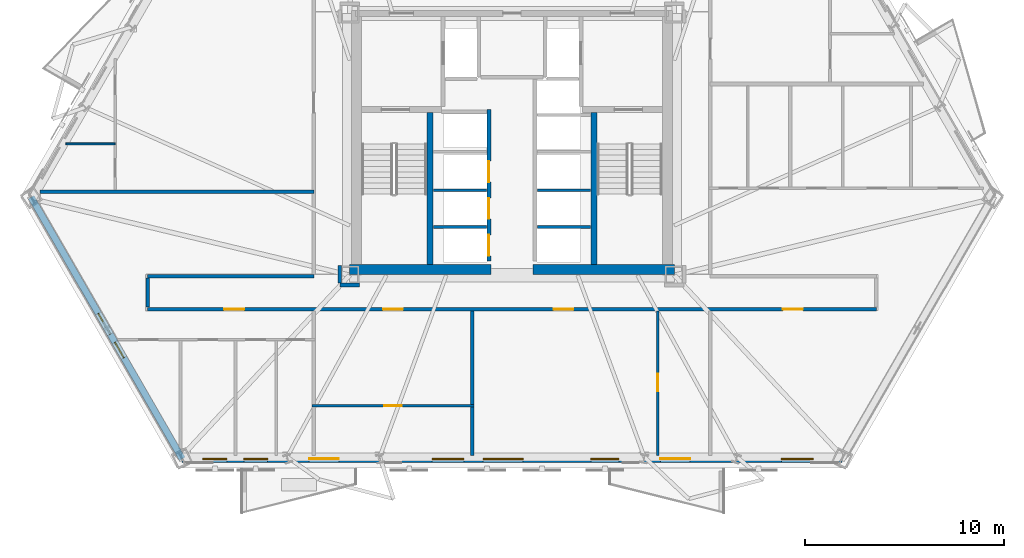
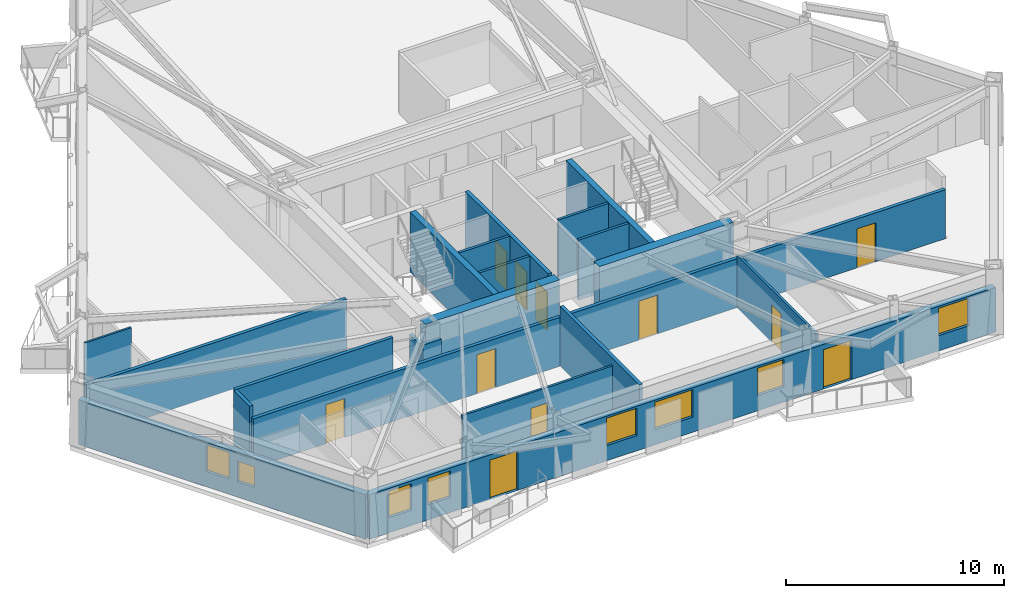
# One storey, part 3 of 13: 21 walls, 11 doors, 8 windows, 19 openings.
"""IFC4 building model written with IfcOpenShell, lengths in metres."""

from ifc_helpers import new_model, si_unit, direction, frame, frame_2d, origin, place, context, subcontext, project, spatial, rectangle, extrude, material, layer, layer_set, type_object, element, fill, save


model = new_model("IFC4")

# Units and contexts
model_context = context("Model", 3, precision=1e-05, world=origin(), true_north=direction((0.0, 1.0)))
body_context = subcontext(model_context, "Body", "Model", "MODEL_VIEW")
ifc_project = project(units=[si_unit("LENGTHUNIT", "METRE"), si_unit("AREAUNIT", "SQUARE_METRE"), si_unit("VOLUMEUNIT", "CUBIC_METRE"), si_unit("PLANEANGLEUNIT", "RADIAN"), si_unit("MASSUNIT", "GRAM", prefix="KILO")], contexts=[model_context])

# Site, building, storey
site_placement = place(None, origin())
site = spatial("IfcSite", under=ifc_project, at=site_placement, CompositionType="ELEMENT")
building_placement = place(site_placement, origin())
building = spatial("IfcBuilding", under=site, at=building_placement, Name="Oramaril Tower", CompositionType="ELEMENT")
storey_placement = place(building_placement, frame((0.0, 0.0, 41.699951171875)))
storey = spatial("IfcBuildingStorey", under=building, at=storey_placement, Name="L10", CompositionType="ELEMENT", Elevation=41.699951171875)

# Wall, openings, windows
ifc_material_1 = material(Name="Warm Cream Limestone", Category="masonry")
ifc_layer_1 = layer(ifc_material_1, 0.340087890625)
ifc_layer_set_1 = layer_set([ifc_layer_1], Name="WT-EXT34")
wall_type_1 = type_object("IfcWallType", Name="WT-EXT34", PredefinedType="SOLIDWALL", material=ifc_layer_set_1)
wall_1_placement = place(storey_placement, frame((13.3515625, 14.921142578125, 0.0), z_axis=(0.0, 0.0, 1.0), x_axis=(0.499998602503, -0.866026210628, 0.0)))
wall_1 = element("IfcWall", 1, at=wall_1_placement, inside=storey, type_object=wall_type_1, Name="L10 Tower Limestone Facade Wall 1M", PredefinedType="SOLIDWALL", context=body_context, shape_type="SweptSolid", body=[
    extrude(rectangle(XDim=15.17822265625, YDim=0.340087890625, at=frame_2d((7.589111328125, 0.0))), origin(), (0.0, 0.0, 1.0), 2.494140625),
])
opening_1_placement = place(wall_1_placement, frame((6.75, 0.0, 0.85009765625)))
opening_1 = element("IfcOpeningElement", 2, at=opening_1_placement, cuts=wall_1, Name="Opening WN-09", PredefinedType="OPENING", context=body_context, shape_type="SweptSolid", body=[
    extrude(rectangle(XDim=1.199951171875, YDim=1.47998046875, at=frame_2d((0.60009765625, 0.739990234375))), frame((0.0, 0.169921875, 0.0), z_axis=(0.0, -1.0, 0.0), x_axis=(1.0, 0.0, 0.0)), (0.0, 0.0, 1.0), 0.340087890625),
])
opening_2_placement = place(wall_1_placement, frame((8.4169921875, 0.0, 0.85009765625)))
opening_2 = element("IfcOpeningElement", 3, at=opening_2_placement, cuts=wall_1, Name="Opening WN-12", PredefinedType="OPENING", context=body_context, shape_type="SweptSolid", body=[
    extrude(rectangle(XDim=0.89990234375, YDim=1.14990234375, at=frame_2d((0.449951171875, 0.574951171875))), frame((0.0, 0.169921875, 0.0), z_axis=(0.0, -1.0, 0.0), x_axis=(1.0, 0.0, 0.0)), (0.0, 0.0, 1.0), 0.340087890625),
])
ifc_material_2 = material(Name="Coastal Low-E Insulated Glass", Category="glass")
window_type_1 = type_object("IfcWindowType", Name="WNT-09", PartitioningType="SINGLE_PANEL", PredefinedType="WINDOW", material=ifc_material_2)
window_1_placement = place(opening_1_placement, origin())
window_1 = element("IfcWindow", 4, at=window_1_placement, inside=storey, type_object=window_type_1, Name="L10 Apartment Bedroom Window WN-09", OverallHeight=1.47998046875, OverallWidth=1.199951171875, PartitioningType="SINGLE_PANEL", PredefinedType="WINDOW", context=body_context, shape_type="SweptSolid", body=[
    extrude(rectangle(XDim=1.199951171875, YDim=1.47998046875, at=frame_2d((0.60009765625, 0.739990234375))), frame((0.0, 0.030029296875, 0.0), z_axis=(0.0, -1.0, 0.0), x_axis=(1.0, 0.0, 0.0)), (0.0, 0.0, 1.0), 0.06005859375),
])
fill(opening_1, window_1)
ifc_material_3 = material(Name="Coastal Low-E Insulated Glass", Category="glass")
window_type_2 = type_object("IfcWindowType", Name="WNT-12", PartitioningType="SINGLE_PANEL", PredefinedType="WINDOW", material=ifc_material_3)
window_2_placement = place(opening_2_placement, origin())
window_2 = element("IfcWindow", 5, at=window_2_placement, inside=storey, type_object=window_type_2, Name="L10 Apartment Bedroom Window WN-12", OverallHeight=1.14990234375, OverallWidth=0.89990234375, PartitioningType="SINGLE_PANEL", PredefinedType="WINDOW", context=body_context, shape_type="SweptSolid", body=[
    extrude(rectangle(XDim=0.89990234375, YDim=1.14990234375, at=frame_2d((0.449951171875, 0.574951171875))), frame((0.0, 0.030029296875, 0.0), z_axis=(0.0, -1.0, 0.0), x_axis=(1.0, 0.0, 0.0)), (0.0, 0.0, 1.0), 0.06005859375),
])
fill(opening_2, window_2)

# Wall, openings, doors, windows
wall_2_placement = place(storey_placement, frame((20.940673828125, 1.7763671875, 0.0), z_axis=(0.0, 0.0, 1.0), x_axis=(1.0, 0.0, 0.0)))
wall_2 = element("IfcWall", 6, at=wall_2_placement, inside=storey, type_object=wall_type_1, Name="L10 Tower Limestone Facade Wall 2M", PredefinedType="SOLIDWALL", context=body_context, shape_type="SweptSolid", body=[
    extrude(rectangle(XDim=33.11865234375, YDim=0.340087890625, at=frame_2d((16.559326171875, 0.0))), origin(), (0.0, 0.0, 1.0), 2.494140625),
])
opening_3_placement = place(wall_2_placement, frame((6.369384765625, 0.0, 0.0)))
opening_3 = element("IfcOpeningElement", 7, at=opening_3_placement, cuts=wall_2, Name="Opening D-L10-BAL-S1", PredefinedType="OPENING", context=body_context, shape_type="SweptSolid", body=[
    extrude(rectangle(XDim=1.5, YDim=2.199951171875, at=frame_2d((0.75, 1.10009765625))), frame((0.0, 0.169921875, 0.0), z_axis=(0.0, -1.0, 0.0), x_axis=(1.0, 0.0, 0.0)), (0.0, 0.0, 1.0), 0.340087890625),
])
opening_4_placement = place(wall_2_placement, frame((24.004150390625, 0.0, 0.0)))
opening_4 = element("IfcOpeningElement", 8, at=opening_4_placement, cuts=wall_2, Name="Opening D-L10-BAL-S2", PredefinedType="OPENING", context=body_context, shape_type="SweptSolid", body=[
    extrude(rectangle(XDim=1.5, YDim=2.199951171875, at=frame_2d((0.75, 1.10009765625))), frame((0.0, 0.169921875, 0.0), z_axis=(0.0, -1.0, 0.0), x_axis=(1.0, 0.0, 0.0)), (0.0, 0.0, 1.0), 0.340087890625),
])
opening_5_placement = place(wall_2_placement, frame((12.5478515625, 0.0, 0.85009765625)))
opening_5 = element("IfcOpeningElement", 9, at=opening_5_placement, cuts=wall_2, Name="Opening WN-07", PredefinedType="OPENING", context=body_context, shape_type="SweptSolid", body=[
    extrude(rectangle(XDim=1.60009765625, YDim=1.533935546875, at=frame_2d((0.800048828125, 0.76708984375))), frame((0.0, 0.169921875, 0.0), z_axis=(0.0, -1.0, 0.0), x_axis=(1.0, 0.0, 0.0)), (0.0, 0.0, 1.0), 0.340087890625),
])
opening_6_placement = place(wall_2_placement, frame((15.113525390625, 0.0, 0.85009765625)))
opening_6 = element("IfcOpeningElement", 10, at=opening_6_placement, cuts=wall_2, Name="Opening WN-05", PredefinedType="OPENING", context=body_context, shape_type="SweptSolid", body=[
    extrude(rectangle(XDim=2.0, YDim=1.533935546875, at=frame_2d((1.0, 0.76708984375))), frame((0.0, 0.169921875, 0.0), z_axis=(0.0, -1.0, 0.0), x_axis=(1.0, 0.0, 0.0)), (0.0, 0.0, 1.0), 0.340087890625),
])
opening_7_placement = place(wall_2_placement, frame((20.52294921875, 0.0, 0.85009765625)))
opening_7 = element("IfcOpeningElement", 11, at=opening_7_placement, cuts=wall_2, Name="Opening WN-08", PredefinedType="OPENING", context=body_context, shape_type="SweptSolid", body=[
    extrude(rectangle(XDim=1.39990234375, YDim=1.533935546875, at=frame_2d((0.699951171875, 0.76708984375))), frame((0.0, 0.169921875, 0.0), z_axis=(0.0, -1.0, 0.0), x_axis=(1.0, 0.0, 0.0)), (0.0, 0.0, 1.0), 0.340087890625),
])
opening_8_placement = place(wall_2_placement, frame((1.04296875, 0.0, 0.85009765625)))
opening_8 = element("IfcOpeningElement", 12, at=opening_8_placement, cuts=wall_2, Name="Opening WN-09", PredefinedType="OPENING", context=body_context, shape_type="SweptSolid", body=[
    extrude(rectangle(XDim=1.199951171875, YDim=1.47998046875, at=frame_2d((0.60009765625, 0.739990234375))), frame((0.0, 0.169921875, 0.0), z_axis=(0.0, -1.0, 0.0), x_axis=(1.0, 0.0, 0.0)), (0.0, 0.0, 1.0), 0.340087890625),
])
opening_9_placement = place(wall_2_placement, frame((3.09423828125, 0.0, 0.85009765625)))
opening_9 = element("IfcOpeningElement", 13, at=opening_9_placement, cuts=wall_2, Name="Opening WN-09", PredefinedType="OPENING", context=body_context, shape_type="SweptSolid", body=[
    extrude(rectangle(XDim=1.199951171875, YDim=1.47998046875, at=frame_2d((0.60009765625, 0.739990234375))), frame((0.0, 0.169921875, 0.0), z_axis=(0.0, -1.0, 0.0), x_axis=(1.0, 0.0, 0.0)), (0.0, 0.0, 1.0), 0.340087890625),
])
opening_10_placement = place(wall_2_placement, frame((30.0908203125, 0.0, 0.85009765625)))
opening_10 = element("IfcOpeningElement", 14, at=opening_10_placement, cuts=wall_2, Name="Opening WN-07", PredefinedType="OPENING", context=body_context, shape_type="SweptSolid", body=[
    extrude(rectangle(XDim=1.60009765625, YDim=1.533935546875, at=frame_2d((0.800048828125, 0.76708984375))), frame((0.0, 0.169921875, 0.0), z_axis=(0.0, -1.0, 0.0), x_axis=(1.0, 0.0, 0.0)), (0.0, 0.0, 1.0), 0.340087890625),
])
ifc_material_4 = material(Name="Anodised Aluminium 6063-T6", Category="aluminium")
door_type_1 = type_object("IfcDoorType", Name="DT-BAL", OperationType="NOTDEFINED", PredefinedType="DOOR", material=ifc_material_4)
door_1_placement = place(opening_3_placement, origin())
door_1 = element("IfcDoor", 15, at=door_1_placement, inside=storey, type_object=door_type_1, Name="L10 Balcony Glazed Door L10-BAL-S1", OperationType="SINGLE_SWING_LEFT", OverallHeight=2.199951171875, OverallWidth=1.5, PredefinedType="DOOR", context=body_context, shape_type="SweptSolid", body=[
    extrude(rectangle(XDim=1.5, YDim=2.199951171875, at=frame_2d((0.75, 1.10009765625))), frame((0.0, 0.02490234375, 0.0), z_axis=(0.0, -1.0, 0.0), x_axis=(1.0, 0.0, 0.0)), (0.0, 0.0, 1.0), 0.050048828125),
])
fill(opening_3, door_1)
door_2_placement = place(opening_4_placement, origin())
door_2 = element("IfcDoor", 16, at=door_2_placement, inside=storey, type_object=door_type_1, Name="L10 Balcony Glazed Door L10-BAL-S2", OperationType="SINGLE_SWING_RIGHT", OverallHeight=2.199951171875, OverallWidth=1.5, PredefinedType="DOOR", context=body_context, shape_type="SweptSolid", body=[
    extrude(rectangle(XDim=1.5, YDim=2.199951171875, at=frame_2d((0.75, 1.10009765625))), frame((0.0, 0.02490234375, 0.0), z_axis=(0.0, -1.0, 0.0), x_axis=(1.0, 0.0, 0.0)), (0.0, 0.0, 1.0), 0.050048828125),
])
fill(opening_4, door_2)
ifc_material_5 = material(Name="Coastal Low-E Insulated Glass", Category="glass")
window_type_3 = type_object("IfcWindowType", Name="WNT-05", PartitioningType="SINGLE_PANEL", PredefinedType="WINDOW", material=ifc_material_5)
window_3_placement = place(opening_6_placement, origin())
window_3 = element("IfcWindow", 17, at=window_3_placement, inside=storey, type_object=window_type_3, Name="L10 Chicago Bay Window WN-05", OverallHeight=1.533935546875, OverallWidth=2.0, PartitioningType="SINGLE_PANEL", PredefinedType="WINDOW", context=body_context, shape_type="SweptSolid", body=[
    extrude(rectangle(XDim=2.0, YDim=1.533935546875, at=frame_2d((1.0, 0.76708984375))), frame((0.0, 0.030029296875, 0.0), z_axis=(0.0, -1.0, 0.0), x_axis=(1.0, 0.0, 0.0)), (0.0, 0.0, 1.0), 0.06005859375),
])
fill(opening_6, window_3)
ifc_material_6 = material(Name="Coastal Low-E Insulated Glass", Category="glass")
window_type_4 = type_object("IfcWindowType", Name="WNT-07", PartitioningType="SINGLE_PANEL", PredefinedType="WINDOW", material=ifc_material_6)
window_4_placement = place(opening_5_placement, origin())
window_4 = element("IfcWindow", 18, at=window_4_placement, inside=storey, type_object=window_type_4, Name="L10 Chicago Bay Window WN-07", OverallHeight=1.533935546875, OverallWidth=1.60009765625, PartitioningType="SINGLE_PANEL", PredefinedType="WINDOW", context=body_context, shape_type="SweptSolid", body=[
    extrude(rectangle(XDim=1.60009765625, YDim=1.533935546875, at=frame_2d((0.800048828125, 0.76708984375))), frame((0.0, 0.030029296875, 0.0), z_axis=(0.0, -1.0, 0.0), x_axis=(1.0, 0.0, 0.0)), (0.0, 0.0, 1.0), 0.06005859375),
])
fill(opening_5, window_4)
window_5_placement = place(opening_10_placement, origin())
window_5 = element("IfcWindow", 19, at=window_5_placement, inside=storey, type_object=window_type_4, Name="L10 Chicago Bay Window WN-07", OverallHeight=1.533935546875, OverallWidth=1.60009765625, PartitioningType="SINGLE_PANEL", PredefinedType="WINDOW", context=body_context, shape_type="SweptSolid", body=[
    extrude(rectangle(XDim=1.60009765625, YDim=1.533935546875, at=frame_2d((0.800048828125, 0.76708984375))), frame((0.0, 0.030029296875, 0.0), z_axis=(0.0, -1.0, 0.0), x_axis=(1.0, 0.0, 0.0)), (0.0, 0.0, 1.0), 0.06005859375),
])
fill(opening_10, window_5)
ifc_material_7 = material(Name="Coastal Low-E Insulated Glass", Category="glass")
window_type_5 = type_object("IfcWindowType", Name="WNT-08", PartitioningType="SINGLE_PANEL", PredefinedType="WINDOW", material=ifc_material_7)
window_6_placement = place(opening_7_placement, origin())
window_6 = element("IfcWindow", 20, at=window_6_placement, inside=storey, type_object=window_type_5, Name="L10 Chicago Bay Window WN-08", OverallHeight=1.533935546875, OverallWidth=1.39990234375, PartitioningType="SINGLE_PANEL", PredefinedType="WINDOW", context=body_context, shape_type="SweptSolid", body=[
    extrude(rectangle(XDim=1.39990234375, YDim=1.533935546875, at=frame_2d((0.699951171875, 0.76708984375))), frame((0.0, 0.030029296875, 0.0), z_axis=(0.0, -1.0, 0.0), x_axis=(1.0, 0.0, 0.0)), (0.0, 0.0, 1.0), 0.06005859375),
])
fill(opening_7, window_6)
window_7_placement = place(opening_8_placement, origin())
window_7 = element("IfcWindow", 21, at=window_7_placement, inside=storey, type_object=window_type_1, Name="L10 Chicago Bay Window WN-09", OverallHeight=1.47998046875, OverallWidth=1.199951171875, PartitioningType="SINGLE_PANEL", PredefinedType="WINDOW", context=body_context, shape_type="SweptSolid", body=[
    extrude(rectangle(XDim=1.199951171875, YDim=1.47998046875, at=frame_2d((0.60009765625, 0.739990234375))), frame((0.0, 0.030029296875, 0.0), z_axis=(0.0, -1.0, 0.0), x_axis=(1.0, 0.0, 0.0)), (0.0, 0.0, 1.0), 0.06005859375),
])
fill(opening_8, window_7)
window_8_placement = place(opening_9_placement, origin())
window_8 = element("IfcWindow", 22, at=window_8_placement, inside=storey, type_object=window_type_1, Name="L10 Chicago Bay Window WN-09", OverallHeight=1.47998046875, OverallWidth=1.199951171875, PartitioningType="SINGLE_PANEL", PredefinedType="WINDOW", context=body_context, shape_type="SweptSolid", body=[
    extrude(rectangle(XDim=1.199951171875, YDim=1.47998046875, at=frame_2d((0.60009765625, 0.739990234375))), frame((0.0, 0.030029296875, 0.0), z_axis=(0.0, -1.0, 0.0), x_axis=(1.0, 0.0, 0.0)), (0.0, 0.0, 1.0), 0.06005859375),
])
fill(opening_9, window_8)

# Wall
ifc_material_8 = material(Name="Acoustic Gypsum Board Partition")
ifc_layer_2 = layer(ifc_material_8, 0.10009765625)
ifc_layer_set_2 = layer_set([ifc_layer_2], Name="WT-PT10")
wall_type_2 = type_object("IfcWallType", Name="WT-PT10", PredefinedType="PARTITIONING", material=ifc_layer_set_2)
wall_3_placement = place(storey_placement, frame((15.093505859375, 17.590087890625, 0.0), z_axis=(0.0, 0.0, 1.0), x_axis=(1.0, 0.0, 0.0)))
element("IfcWall", 23, at=wall_3_placement, inside=storey, type_object=wall_type_2, Name="L10 Interior Partition PT-10", PredefinedType="PARTITIONING", context=body_context, shape_type="SweptSolid", body=[
    extrude(rectangle(XDim=2.474365234375, YDim=0.10009765625, at=frame_2d((1.2373046875, 0.0))), origin(), (0.0, 0.0, 1.0), 3.360107421875),
])

# Wall, opening, door
ifc_material_9 = material(Name="Acoustic Gypsum Board Partition")
ifc_layer_3 = layer(ifc_material_9, 0.1201171875)
ifc_layer_set_3 = layer_set([ifc_layer_3], Name="WT-PT12")
wall_type_3 = type_object("IfcWallType", Name="WT-PT12", PredefinedType="PARTITIONING", material=ifc_layer_set_3)
wall_4_placement = place(storey_placement, frame((27.468017578125, 4.449951171875, 0.0), z_axis=(0.0, 0.0, 1.0), x_axis=(1.0, 0.0, 0.0)))
wall_4 = element("IfcWall", 24, at=wall_4_placement, inside=storey, type_object=wall_type_3, Name="L10 Interior Partition PT-12", PredefinedType="PARTITIONING", context=body_context, shape_type="SweptSolid", body=[
    extrude(rectangle(XDim=8.114013671875, YDim=0.1201171875, at=frame_2d((4.05712890625, 0.0))), origin(), (0.0, 0.0, 1.0), 2.946044921875),
])
opening_11_placement = place(wall_4_placement, frame((3.616943359375, 0.0, 0.0)))
opening_11 = element("IfcOpeningElement", 25, at=opening_11_placement, cuts=wall_4, Name="Opening D-L10-01", PredefinedType="OPENING", context=body_context, shape_type="SweptSolid", body=[
    extrude(rectangle(XDim=0.8798828125, YDim=2.080078125, at=frame_2d((0.43994140625, 1.0400390625))), frame((0.0, 0.06005859375, 0.0), z_axis=(0.0, -1.0, 0.0), x_axis=(1.0, 0.0, 0.0)), (0.0, 0.0, 1.0), 0.1201171875),
])
ifc_material_10 = material(Name="FSC Brazilian Freijo Hardwood", Category="wood")
door_type_2 = type_object("IfcDoorType", Name="DT-BATH", OperationType="NOTDEFINED", PredefinedType="DOOR", material=ifc_material_10)
door_3_placement = place(opening_11_placement, origin())
door_3 = element("IfcDoor", 26, at=door_3_placement, inside=storey, type_object=door_type_2, Name="L10 Flat L10-U1 Bathroom Door D-L10-01", OperationType="SINGLE_SWING_RIGHT", OverallHeight=2.080078125, OverallWidth=0.8798828125, PredefinedType="DOOR", context=body_context, shape_type="SweptSolid", body=[
    extrude(rectangle(XDim=0.8798828125, YDim=2.080078125, at=frame_2d((0.43994140625, 1.0400390625))), frame((0.0, 0.02490234375, 0.0), z_axis=(0.0, -1.0, 0.0), x_axis=(1.0, 0.0, 0.0)), (0.0, 0.0, 1.0), 0.050048828125),
])
fill(opening_11, door_3)

wall_5_placement = place(storey_placement, frame((44.820068359375, 1.9501953125, 0.0), z_axis=(0.0, 0.0, 1.0), x_axis=(0.0, 1.0, 0.0)))
wall_5 = element("IfcWall", 27, at=wall_5_placement, inside=storey, type_object=wall_type_3, Name="L10 Interior Partition PT-12", PredefinedType="PARTITIONING", context=body_context, shape_type="SweptSolid", body=[
    extrude(rectangle(XDim=7.255859375, YDim=0.1201171875, at=frame_2d((3.6279296875, 0.0))), origin(), (0.0, 0.0, 1.0), 2.946044921875),
])
opening_12_placement = place(wall_5_placement, frame((3.222900390625, 0.0, 0.0)))
opening_12 = element("IfcOpeningElement", 28, at=opening_12_placement, cuts=wall_5, Name="Opening D-L10-19", PredefinedType="OPENING", context=body_context, shape_type="SweptSolid", body=[
    extrude(rectangle(XDim=0.8798828125, YDim=2.080078125, at=frame_2d((0.43994140625, 1.0400390625))), frame((0.0, 0.06005859375, 0.0), z_axis=(0.0, -1.0, 0.0), x_axis=(1.0, 0.0, 0.0)), (0.0, 0.0, 1.0), 0.1201171875),
])
door_4_placement = place(opening_12_placement, origin())
door_4 = element("IfcDoor", 29, at=door_4_placement, inside=storey, type_object=door_type_2, Name="L10 Flat L10-U2 Bathroom Door D-L10-19", OperationType="SINGLE_SWING_RIGHT", OverallHeight=2.080078125, OverallWidth=0.8798828125, PredefinedType="DOOR", context=body_context, shape_type="SweptSolid", body=[
    extrude(rectangle(XDim=0.8798828125, YDim=2.080078125, at=frame_2d((0.43994140625, 1.0400390625))), frame((0.0, 0.02490234375, 0.0), z_axis=(0.0, -1.0, 0.0), x_axis=(1.0, 0.0, 0.0)), (0.0, 0.0, 1.0), 0.050048828125),
])
fill(opening_12, door_4)

# Walls
ifc_material_11 = material(Name="Acoustic Gypsum Board Partition")
ifc_layer_4 = layer(ifc_material_11, 0.139892578125)
ifc_layer_set_4 = layer_set([ifc_layer_4], Name="WT-PT14")
wall_type_4 = type_object("IfcWallType", Name="WT-PT14", PredefinedType="PARTITIONING", material=ifc_layer_set_4)
for number, where, z_axis, x_axis, name in (
    (30, (33.56005859375, 13.419921875, 0.0), (0.0, 0.0, 1.0), (1.0, 0.0, 0.0), "L10 West Lift Divider"),
    (31, (33.56005859375, 15.27001953125, 0.0), (0.0, 0.0, 1.0), (1.0, 0.0, 0.0), "L10 West Lift Divider"),
    (32, (38.780029296875, 13.419921875, 0.0), (0.0, 0.0, 1.0), (1.0, 0.0, 0.0), "L10 East Lift Divider"),
    (33, (38.780029296875, 15.27001953125, 0.0), (0.0, 0.0, 1.0), (1.0, 0.0, 0.0), "L10 East Lift Divider"),
):
    element("IfcWall", number, at=place(storey_placement, frame(where, z_axis=z_axis, x_axis=x_axis)), inside=storey, type_object=wall_type_4, Name=name, PredefinedType="PARTITIONING", context=body_context, shape_type="SweptSolid", body=[
        extrude(rectangle(XDim=2.659912109375, YDim=0.139892578125, at=frame_2d((1.330078125, 0.0))), origin(), (0.0, 0.0, 1.0), 3.360107421875),
    ])

# Wall, openings, doors
ifc_material_12 = material(Name="Autoclaved Cellular Concrete Block", Category="concrete")
ifc_layer_5 = layer(ifc_material_12, 0.179931640625)
ifc_layer_set_5 = layer_set([ifc_layer_5], Name="WT-PT18")
wall_type_5 = type_object("IfcWallType", Name="WT-PT18", PredefinedType="PARTITIONING", material=ifc_layer_set_5)
wall_6_placement = place(storey_placement, frame((19.199951171875, 9.300048828125, 0.0), z_axis=(0.0, 0.0, 1.0), x_axis=(1.0, 0.0, 0.0)))
wall_6 = element("IfcWall", 34, at=wall_6_placement, inside=storey, type_object=wall_type_5, Name="L10 Interior Partition PT-18", PredefinedType="PARTITIONING", context=body_context, shape_type="SweptSolid", body=[
    extrude(rectangle(XDim=36.60009765625, YDim=0.179931640625, at=frame_2d((18.300048828125, 0.0))), origin(), (0.0, 0.0, 1.0), 2.738037109375),
])
opening_13_placement = place(wall_6_placement, frame((3.84423828125, 0.0, 0.0)))
opening_13 = element("IfcOpeningElement", 35, at=opening_13_placement, cuts=wall_6, Name="Opening D-L10-06", PredefinedType="OPENING", context=body_context, shape_type="SweptSolid", body=[
    extrude(rectangle(XDim=1.0, YDim=2.179931640625, at=frame_2d((0.5, 1.08984375))), frame((0.0, 0.08984375, 0.0), z_axis=(0.0, -1.0, 0.0), x_axis=(1.0, 0.0, 0.0)), (0.0, 0.0, 1.0), 0.179931640625),
])
opening_14_placement = place(wall_6_placement, frame((11.824951171875, 0.0, 0.0)))
opening_14 = element("IfcOpeningElement", 36, at=opening_14_placement, cuts=wall_6, Name="Opening D-L10-07", PredefinedType="OPENING", context=body_context, shape_type="SweptSolid", body=[
    extrude(rectangle(XDim=1.0, YDim=2.179931640625, at=frame_2d((0.5, 1.08984375))), frame((0.0, 0.08984375, 0.0), z_axis=(0.0, -1.0, 0.0), x_axis=(1.0, 0.0, 0.0)), (0.0, 0.0, 1.0), 0.179931640625),
])
opening_15_placement = place(wall_6_placement, frame((20.38671875, 0.0, 0.0)))
opening_15 = element("IfcOpeningElement", 37, at=opening_15_placement, cuts=wall_6, Name="Opening D-L10-08", PredefinedType="OPENING", context=body_context, shape_type="SweptSolid", body=[
    extrude(rectangle(XDim=1.0, YDim=2.179931640625, at=frame_2d((0.5, 1.08984375))), frame((0.0, 0.08984375, 0.0), z_axis=(0.0, -1.0, 0.0), x_axis=(1.0, 0.0, 0.0)), (0.0, 0.0, 1.0), 0.179931640625),
])
opening_16_placement = place(wall_6_placement, frame((31.904052734375, 0.0, 0.0)))
opening_16 = element("IfcOpeningElement", 38, at=opening_16_placement, cuts=wall_6, Name="Opening D-L10-09", PredefinedType="OPENING", context=body_context, shape_type="SweptSolid", body=[
    extrude(rectangle(XDim=1.0, YDim=2.179931640625, at=frame_2d((0.5, 1.08984375))), frame((0.0, 0.08984375, 0.0), z_axis=(0.0, -1.0, 0.0), x_axis=(1.0, 0.0, 0.0)), (0.0, 0.0, 1.0), 0.179931640625),
])
ifc_material_13 = material(Name="FSC Brazilian Freijo Hardwood", Category="wood")
door_type_3 = type_object("IfcDoorType", Name="DT-APT", OperationType="NOTDEFINED", PredefinedType="DOOR", material=ifc_material_13)
door_5_placement = place(opening_13_placement, origin())
door_5 = element("IfcDoor", 39, at=door_5_placement, inside=storey, type_object=door_type_3, Name="L10 Flat L10-U3 Penthouse 2-Bedroom Living and Dining Room Door D-L10-06", OperationType="SINGLE_SWING_LEFT", OverallHeight=2.179931640625, OverallWidth=1.0, PredefinedType="DOOR", context=body_context, shape_type="SweptSolid", body=[
    extrude(rectangle(XDim=1.0, YDim=2.179931640625, at=frame_2d((0.5, 1.08984375))), frame((0.0, 0.02490234375, 0.0), z_axis=(0.0, -1.0, 0.0), x_axis=(1.0, 0.0, 0.0)), (0.0, 0.0, 1.0), 0.050048828125),
])
fill(opening_13, door_5)
door_6_placement = place(opening_14_placement, origin())
door_6 = element("IfcDoor", 40, at=door_6_placement, inside=storey, type_object=door_type_3, Name="L10 Flat L10-U1 Kitchen and Studio Apartment Door D-L10-07", OperationType="SINGLE_SWING_RIGHT", OverallHeight=2.179931640625, OverallWidth=1.0, PredefinedType="DOOR", context=body_context, shape_type="SweptSolid", body=[
    extrude(rectangle(XDim=1.0, YDim=2.179931640625, at=frame_2d((0.5, 1.08984375))), frame((0.0, 0.02490234375, 0.0), z_axis=(0.0, -1.0, 0.0), x_axis=(1.0, 0.0, 0.0)), (0.0, 0.0, 1.0), 0.050048828125),
])
fill(opening_14, door_6)
door_7_placement = place(opening_15_placement, origin())
door_7 = element("IfcDoor", 41, at=door_7_placement, inside=storey, type_object=door_type_3, Name="L10 Flat L10-U2 Kitchen and Studio Apartment Door D-L10-08", OperationType="SINGLE_SWING_LEFT", OverallHeight=2.179931640625, OverallWidth=1.0, PredefinedType="DOOR", context=body_context, shape_type="SweptSolid", body=[
    extrude(rectangle(XDim=1.0, YDim=2.179931640625, at=frame_2d((0.5, 1.08984375))), frame((0.0, 0.02490234375, 0.0), z_axis=(0.0, -1.0, 0.0), x_axis=(1.0, 0.0, 0.0)), (0.0, 0.0, 1.0), 0.050048828125),
])
fill(opening_15, door_7)
door_8_placement = place(opening_16_placement, origin())
door_8 = element("IfcDoor", 42, at=door_8_placement, inside=storey, type_object=door_type_3, Name="L10 Flat L10-U5 Penthouse 2-Bedroom Living and Dining Room Door D-L10-09", OperationType="SINGLE_SWING_RIGHT", OverallHeight=2.179931640625, OverallWidth=1.0, PredefinedType="DOOR", context=body_context, shape_type="SweptSolid", body=[
    extrude(rectangle(XDim=1.0, YDim=2.179931640625, at=frame_2d((0.5, 1.08984375))), frame((0.0, 0.02490234375, 0.0), z_axis=(0.0, -1.0, 0.0), x_axis=(1.0, 0.0, 0.0)), (0.0, 0.0, 1.0), 0.050048828125),
])
fill(opening_16, door_8)

# Walls
wall_7_placement = place(storey_placement, frame((28.860107421875, 10.510009765625, 0.0), z_axis=(0.0, 0.0, 1.0), x_axis=(1.0, 0.0, 0.0)))
element("IfcWall", 43, at=wall_7_placement, inside=storey, type_object=wall_type_5, Name="L10 Interior Partition PT-18", PredefinedType="PARTITIONING", context=body_context, shape_type="SweptSolid", body=[
    extrude(rectangle(XDim=0.97998046875, YDim=0.179931640625, at=frame_2d((0.489990234375, 0.0))), origin(), (0.0, 0.0, 1.0), 2.738037109375),
])
wall_8_placement = place(storey_placement, frame((19.199951171875, 10.949951171875, 0.0), z_axis=(0.0, 0.0, 1.0), x_axis=(1.0, 0.0, 0.0)))
element("IfcWall", 44, at=wall_8_placement, inside=storey, type_object=wall_type_5, Name="L10 Interior Partition PT-18", PredefinedType="PARTITIONING", context=body_context, shape_type="SweptSolid", body=[
    extrude(rectangle(XDim=8.35009765625, YDim=0.179931640625, at=frame_2d((4.175048828125, 0.0))), origin(), (0.0, 0.0, 1.0), 3.360107421875),
])
wall_9_placement = place(storey_placement, frame((13.798583984375, 15.199951171875, 0.0), z_axis=(0.0, 0.0, 1.0), x_axis=(1.0, 0.0, 0.0)))
element("IfcWall", 45, at=wall_9_placement, inside=storey, type_object=wall_type_5, Name="L10 Interior Partition PT-18", PredefinedType="PARTITIONING", context=body_context, shape_type="SweptSolid", body=[
    extrude(rectangle(XDim=13.75146484375, YDim=0.179931640625, at=frame_2d((6.875732421875, 0.0))), origin(), (0.0, 0.0, 1.0), 2.946044921875),
])
wall_10_placement = place(storey_placement, frame((19.199951171875, 9.39404296875, 0.0), z_axis=(0.0, 0.0, 1.0), x_axis=(0.0, 1.0, 0.0)))
element("IfcWall", 46, at=wall_10_placement, inside=storey, type_object=wall_type_5, Name="L10 Interior Partition PT-18", PredefinedType="PARTITIONING", context=body_context, shape_type="SweptSolid", body=[
    extrude(rectangle(XDim=1.4619140625, YDim=0.179931640625, at=frame_2d((0.73095703125, 0.0))), origin(), (0.0, 0.0, 1.0), 3.360107421875),
])
wall_11_placement = place(storey_placement, frame((28.860107421875, 10.60400390625, 0.0), z_axis=(0.0, 0.0, 1.0), x_axis=(0.0, 1.0, 0.0)))
element("IfcWall", 47, at=wall_11_placement, inside=storey, type_object=wall_type_5, Name="L10 Interior Partition PT-18", PredefinedType="PARTITIONING", context=body_context, shape_type="SweptSolid", body=[
    extrude(rectangle(XDim=0.89111328125, YDim=0.179931640625, at=frame_2d((0.445556640625, 0.0))), origin(), (0.0, 0.0, 1.0), 2.738037109375),
])
wall_12_placement = place(storey_placement, frame((35.5, 1.9501953125, 0.0), z_axis=(0.0, 0.0, 1.0), x_axis=(0.0, 1.0, 0.0)))
element("IfcWall", 48, at=wall_12_placement, inside=storey, type_object=wall_type_5, Name="L10 Interior Partition PT-18", PredefinedType="PARTITIONING", context=body_context, shape_type="SweptSolid", body=[
    extrude(rectangle(XDim=7.255859375, YDim=0.179931640625, at=frame_2d((3.6279296875, 0.0))), origin(), (0.0, 0.0, 1.0), 3.360107421875),
])
ifc_material_14 = material(Name="Concrete C50/60", Category="concrete")
ifc_layer_6 = layer(ifc_material_14, 0.300048828125)
ifc_layer_set_6 = layer_set([ifc_layer_6], Name="WT-SH30")
wall_type_6 = type_object("IfcWallType", Name="WT-SH30", PredefinedType="SHEAR", material=ifc_layer_set_6)
for number, where, z_axis, x_axis, name in (
    (49, (33.3798828125, 11.5400390625, 0.0), (0.0, 0.0, 1.0), (0.0, 1.0, 0.0), "L10 Core Shear Wall CW-ST1E"),
    (50, (41.6201171875, 11.5400390625, 0.0), (0.0, 0.0, 1.0), (0.0, 1.0, 0.0), "L10 Core Shear Wall CW-ST2W"),
):
    element("IfcWall", number, at=place(storey_placement, frame(where, z_axis=z_axis, x_axis=x_axis)), inside=storey, type_object=wall_type_6, Name=name, PredefinedType="SHEAR", context=body_context, shape_type="SweptSolid", body=[
        extrude(rectangle(XDim=7.619873046875, YDim=0.300048828125, at=frame_2d((3.81005859375, 0.0))), origin(), (0.0, 0.0, 1.0), 3.360107421875),
    ])
ifc_material_15 = material(Name="Concrete C50/60", Category="concrete")
ifc_layer_7 = layer(ifc_material_15, 0.5)
ifc_layer_set_7 = layer_set([ifc_layer_7], Name="WT-SH50")
wall_type_7 = type_object("IfcWallType", Name="WT-SH50", PredefinedType="SHEAR", material=ifc_layer_set_7)
for number, where, z_axis, x_axis, name in (
    (51, (29.35009765625, 11.2900390625, 0.0), (0.0, 0.0, 1.0), (1.0, 0.0, 0.0), "L10 Core Shear Wall CW-SW"),
    (52, (38.550048828125, 11.2900390625, 0.0), (0.0, 0.0, 1.0), (1.0, 0.0, 0.0), "L10 Core Shear Wall CW-SE"),
):
    element("IfcWall", number, at=place(storey_placement, frame(where, z_axis=z_axis, x_axis=x_axis)), inside=storey, type_object=wall_type_7, Name=name, PredefinedType="SHEAR", context=body_context, shape_type="SweptSolid", body=[
        extrude(rectangle(XDim=7.099853515625, YDim=0.5, at=frame_2d((3.5498046875, 0.0))), origin(), (0.0, 0.0, 1.0), 3.360107421875),
    ])

# Wall, openings, doors
ifc_material_16 = material(Name="Autoclaved Cellular Concrete Block", Category="concrete")
ifc_layer_8 = layer(ifc_material_16, 0.199951171875)
ifc_layer_set_8 = layer_set([ifc_layer_8], Name="WT-SHF20")
wall_type_8 = type_object("IfcWallType", Name="WT-SHF20", PredefinedType="PARTITIONING", material=ifc_layer_set_8)
wall_13_placement = place(storey_placement, frame((36.340087890625, 11.719970703125, 0.0), z_axis=(0.0, 0.0, 1.0), x_axis=(0.0, 1.0, 0.0)))
wall_13 = element("IfcWall", 53, at=wall_13_placement, inside=storey, type_object=wall_type_8, Name="L10 West Lift Bank Front Wall", PredefinedType="PARTITIONING", context=body_context, shape_type="SweptSolid", body=[
    extrude(rectangle(XDim=7.60009765625, YDim=0.199951171875, at=frame_2d((3.800048828125, 0.0))), origin(), (0.0, 0.0, 1.0), 3.360107421875),
])
opening_17_placement = place(wall_13_placement, frame((0.2548828125, 0.0, 0.0)))
opening_17 = element("IfcOpeningElement", 54, at=opening_17_placement, cuts=wall_13, Name="Opening LD-L10-LP-L1", PredefinedType="OPENING", context=body_context, shape_type="SweptSolid", body=[
    extrude(rectangle(XDim=1.050048828125, YDim=2.14990234375, at=frame_2d((0.52490234375, 1.074951171875))), frame((0.0, 0.10009765625, 0.0), z_axis=(0.0, -1.0, 0.0), x_axis=(1.0, 0.0, 0.0)), (0.0, 0.0, 1.0), 0.199951171875),
])
opening_18_placement = place(wall_13_placement, frame((2.10498046875, 0.0, 0.0)))
opening_18 = element("IfcOpeningElement", 55, at=opening_18_placement, cuts=wall_13, Name="Opening LD-L10-LP-L2", PredefinedType="OPENING", context=body_context, shape_type="SweptSolid", body=[
    extrude(rectangle(XDim=1.050048828125, YDim=2.14990234375, at=frame_2d((0.52490234375, 1.074951171875))), frame((0.0, 0.10009765625, 0.0), z_axis=(0.0, -1.0, 0.0), x_axis=(1.0, 0.0, 0.0)), (0.0, 0.0, 1.0), 0.199951171875),
])
opening_19_placement = place(wall_13_placement, frame((3.955078125, 0.0, 0.0)))
opening_19 = element("IfcOpeningElement", 56, at=opening_19_placement, cuts=wall_13, Name="Opening LD-L10-LP-L3", PredefinedType="OPENING", context=body_context, shape_type="SweptSolid", body=[
    extrude(rectangle(XDim=1.050048828125, YDim=2.14990234375, at=frame_2d((0.52490234375, 1.074951171875))), frame((0.0, 0.10009765625, 0.0), z_axis=(0.0, -1.0, 0.0), x_axis=(1.0, 0.0, 0.0)), (0.0, 0.0, 1.0), 0.199951171875),
])
ifc_material_17 = material(Name="Stainless Steel 316L", Category="steel")
door_type_4 = type_object("IfcDoorType", Name="DT-LD2", OperationType="NOTDEFINED", PredefinedType="DOOR", material=ifc_material_17)
door_9_placement = place(opening_17_placement, origin())
door_9 = element("IfcDoor", 57, at=door_9_placement, inside=storey, type_object=door_type_4, Name="L10 Lift LP-L1 Sliding Landing Door", OperationType="SLIDING_TO_LEFT", OverallHeight=2.14990234375, OverallWidth=1.050048828125, PredefinedType="DOOR", context=body_context, shape_type="SweptSolid", body=[
    extrude(rectangle(XDim=1.050048828125, YDim=2.14990234375, at=frame_2d((0.52490234375, 1.074951171875))), frame((0.0, 0.02490234375, 0.0), z_axis=(0.0, -1.0, 0.0), x_axis=(1.0, 0.0, 0.0)), (0.0, 0.0, 1.0), 0.050048828125),
])
fill(opening_17, door_9)
door_10_placement = place(opening_18_placement, origin())
door_10 = element("IfcDoor", 58, at=door_10_placement, inside=storey, type_object=door_type_4, Name="L10 Lift LP-L2 Sliding Landing Door", OperationType="SLIDING_TO_RIGHT", OverallHeight=2.14990234375, OverallWidth=1.050048828125, PredefinedType="DOOR", context=body_context, shape_type="SweptSolid", body=[
    extrude(rectangle(XDim=1.050048828125, YDim=2.14990234375, at=frame_2d((0.52490234375, 1.074951171875))), frame((0.0, 0.02490234375, 0.0), z_axis=(0.0, -1.0, 0.0), x_axis=(1.0, 0.0, 0.0)), (0.0, 0.0, 1.0), 0.050048828125),
])
fill(opening_18, door_10)
door_11_placement = place(opening_19_placement, origin())
door_11 = element("IfcDoor", 59, at=door_11_placement, inside=storey, type_object=door_type_4, Name="L10 Lift LP-L3 Sliding Landing Door", OperationType="SLIDING_TO_LEFT", OverallHeight=2.14990234375, OverallWidth=1.050048828125, PredefinedType="DOOR", context=body_context, shape_type="SweptSolid", body=[
    extrude(rectangle(XDim=1.050048828125, YDim=2.14990234375, at=frame_2d((0.52490234375, 1.074951171875))), frame((0.0, 0.02490234375, 0.0), z_axis=(0.0, -1.0, 0.0), x_axis=(1.0, 0.0, 0.0)), (0.0, 0.0, 1.0), 0.050048828125),
])
fill(opening_19, door_11)

save(model, "model.ifc")
